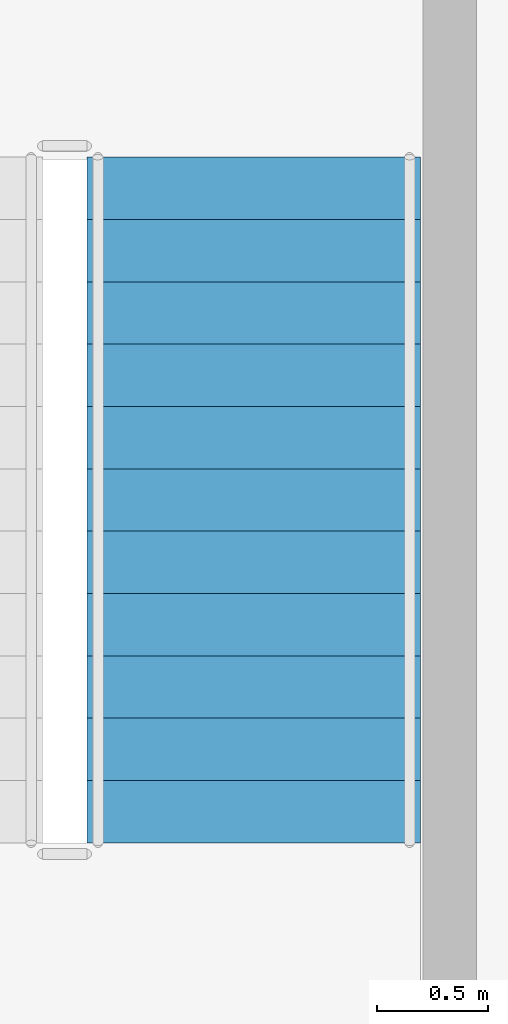
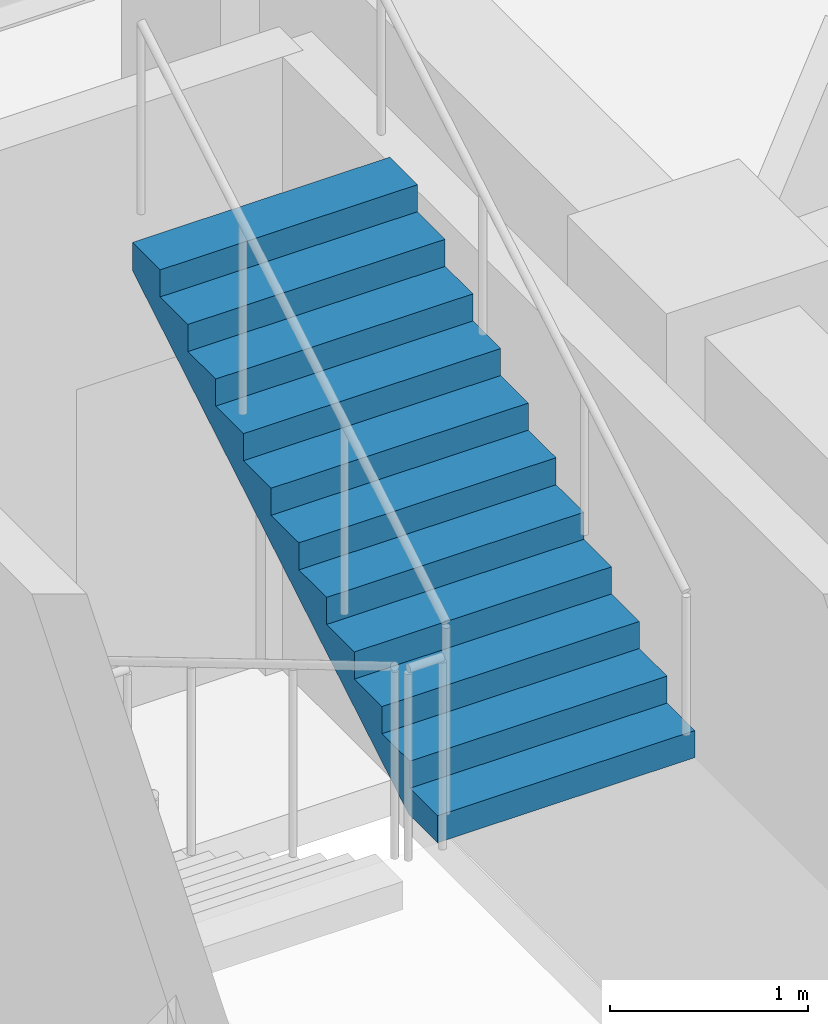
# One storey, part 8 of 12: 1 stair flight, 1 element without a shape of its own.
"""IFC4 building model written with IfcOpenShell, lengths in metres."""

import ifcopenshell
import ifcopenshell.guid

model = None  # the IFC model being written
_history = None  # IfcOwnerHistory: only IFC2X3 demands one
_inside = {}  # id of a spatial element -> (the spatial element, [elements in it])
_under = {}  # id of a project, library or spatial element -> (it, [spatial elements below it])
_declared = {}  # id of a project -> (the project, [libraries it declares])
_typed = {}  # id of a type object -> (the type object, [elements of that type])
_made_of = {}  # id of a material, layer set ... -> (it, [elements and type objects made of it])


def new_model(schema):
    """Start an empty IFC model of exactly this schema.

    Asked for "IFC4X3", IfcOpenShell would pick the latest addendum, in which some entities
    have other attributes; the version numbers below select the first issue.
    IFC2X3 requires an IfcOwnerHistory on every rooted entity: one is made here for all.
    """
    global model, _history
    if schema == "IFC4X3":
        model = ifcopenshell.file(schema_version=(4, 3, 0, 0))
    else:
        model = ifcopenshell.file(schema=schema)
    _inside.clear()
    _under.clear()
    _declared.clear()
    _typed.clear()
    _made_of.clear()
    _history = None
    if model.schema == "IFC2X3":
        org = make("IfcOrganization", Name="unknown")
        user = make(
            "IfcPersonAndOrganization",
            ThePerson=make("IfcPerson", FamilyName="unknown"),
            TheOrganization=org,
        )
        app = make(
            "IfcApplication",
            ApplicationDeveloper=org,
            Version="unknown",
            ApplicationFullName="unknown",
            ApplicationIdentifier="unknown",
        )
        _history = make(
            "IfcOwnerHistory",
            OwningUser=user,
            OwningApplication=app,
            ChangeAction="ADDED",
            CreationDate=0,
        )
    return model


def make(cls, **values):
    """One entity of the class cls with the attributes given. An attribute that is None is left unset."""
    return model.create_entity(
        cls, **{name: value for name, value in values.items() if value is not None}
    )


def rooted(cls, **values):
    """An entity with a GlobalId (a new one), such as an element, a storey or a relation."""
    return make(cls, GlobalId=ifcopenshell.guid.new(), OwnerHistory=_history, **values)


def si_unit(unit_type, name, prefix=None):
    """IfcSIUnit, for example si_unit("LENGTHUNIT", "METRE", prefix="MILLI")."""
    return make("IfcSIUnit", UnitType=unit_type, Prefix=prefix, Name=name)


def assignment(units):
    """IfcUnitAssignment: the units of a project."""
    return None if units is None else make("IfcUnitAssignment", Units=units)


def point(xyz):
    """IfcCartesianPoint."""
    return None if xyz is None else make("IfcCartesianPoint", Coordinates=xyz)


def direction(xyz):
    """IfcDirection."""
    return None if xyz is None else make("IfcDirection", DirectionRatios=xyz)


def frame(location, z_axis=None, x_axis=None):
    """IfcAxis2Placement3D, a coordinate frame: its origin and axes. An axis left out is left unset."""
    return make(
        "IfcAxis2Placement3D",
        Location=point(location),
        Axis=direction(z_axis),
        RefDirection=direction(x_axis),
    )


def origin():
    """The frame at (0, 0, 0) with its axes left unset."""
    return frame((0.0, 0.0, 0.0))


def place(relative_to, where):
    """IfcLocalPlacement: puts the frame where relative to a parent placement (None: the world)."""
    return make(
        "IfcLocalPlacement", PlacementRelTo=relative_to, RelativePlacement=where
    )


def context(
    kind, dimensions, precision=None, world=None, true_north=None, identifier=None
):
    """IfcGeometricRepresentationContext, for example the 3D "Model" context."""
    return make(
        "IfcGeometricRepresentationContext",
        ContextIdentifier=identifier,
        ContextType=kind,
        CoordinateSpaceDimension=dimensions,
        Precision=precision,
        WorldCoordinateSystem=world,
        TrueNorth=true_north,
    )


def subcontext(parent, identifier, kind, view, scale=None):
    """IfcGeometricRepresentationSubContext, for example "Body" below "Model"."""
    return make(
        "IfcGeometricRepresentationSubContext",
        ContextIdentifier=identifier,
        ContextType=kind,
        ParentContext=parent,
        TargetScale=scale,
        TargetView=view,
    )


def project(units=None, contexts=None):
    """IfcProject with its units and contexts."""
    return rooted(
        "IfcProject",
        Name="project",
        RepresentationContexts=contexts,
        UnitsInContext=assignment(units),
    )


def spatial(cls, under=None, at=None, **own):
    """A site, building, storey or space (cls), placed at a placement, below another one or the project."""
    s = rooted(cls, ObjectPlacement=at, **own)
    if under is not None:
        _under.setdefault(under.id(), (under, []))[1].append(s)
    return s


def polyline(points):
    """IfcPolyline through the points."""
    return make("IfcPolyline", Points=[point(p) for p in points])


def outline(outer, holes=None, kind="AREA"):
    """IfcArbitraryClosedProfileDef: a profile drawn as a closed curve; with holes, ...WithVoids."""
    if holes is None:
        return make("IfcArbitraryClosedProfileDef", ProfileType=kind, OuterCurve=outer)
    return make(
        "IfcArbitraryProfileDefWithVoids",
        ProfileType=kind,
        OuterCurve=outer,
        InnerCurves=holes,
    )


def extrude(swept, where, along, depth):
    """IfcExtrudedAreaSolid: the profile swept, set in the frame where, extruded along a direction by depth."""
    return make(
        "IfcExtrudedAreaSolid",
        SweptArea=swept,
        Position=where,
        ExtrudedDirection=direction(along),
        Depth=depth,
    )


def shape(context_of_items, identifier, shape_type, items):
    """IfcShapeRepresentation: the items that make up one representation, for example the "Body"."""
    return make(
        "IfcShapeRepresentation",
        ContextOfItems=context_of_items,
        RepresentationIdentifier=identifier,
        RepresentationType=shape_type,
        Items=items,
    )


def material(Name=None, Category=None):
    """IfcMaterial."""
    return make("IfcMaterial", Name=Name, Category=Category)


def made_of(thing, what):
    """Note that an element or type object is made of a material, layer set ...; save() writes the relation."""
    if what is not None:
        _made_of.setdefault(what.id(), (what, []))[1].append(thing)
    return thing


def type_object(cls, material=None, **own):
    """A type object (cls), such as IfcWallType, which elements share."""
    return made_of(rooted(cls, **own), material)


def element(
    cls,
    number,
    at=None,
    inside=None,
    cuts=None,
    type_object=None,
    material=None,
    context=None,
    identifier="Body",
    shape_type=None,
    held_by="IfcProductDefinitionShape",
    body=None,
    shapes=None,
    **own,
):
    """One element of the class cls, such as IfcWall. Its Tag is "e" and its number.

    at: its placement. inside: the storey or other place that contains it. cuts: it is an
    opening in that element (IfcRelVoidsElement). A single representation is given by context,
    identifier, shape_type and body (its items); several are given by shapes. held_by: the class
    of the entity that holds the representations. save() writes the other relations.
    """
    e = rooted(cls, Tag="e%d" % number, ObjectPlacement=at, **own)
    if body is not None:
        shapes = [shape(context, identifier, shape_type, body)]
    if shapes is not None:
        e.Representation = make(held_by, Representations=shapes)
    if inside is not None:
        _inside.setdefault(inside.id(), (inside, []))[1].append(e)
    if cuts is not None:
        rooted(
            "IfcRelVoidsElement", RelatingBuildingElement=cuts, RelatedOpeningElement=e
        )
    if type_object is not None:
        _typed.setdefault(type_object.id(), (type_object, []))[1].append(e)
    return made_of(e, material)


def aggregate(whole, parts):
    """IfcRelAggregates: a whole, such as a stair, and the parts it consists of."""
    return rooted("IfcRelAggregates", RelatingObject=whole, RelatedObjects=parts)


def save(model, path):
    """Write the relations noted so far, then the file.

    IfcRelAggregates (storeys below a building ...), IfcRelContainedInSpatialStructure (elements
    in a storey), IfcRelDefinesByType, IfcRelAssociatesMaterial and IfcRelDeclares: one each for
    every whole, place, type object, material and project.
    """
    for whole, parts in _under.values():
        aggregate(whole, parts)
    for where, things in _inside.values():
        rooted(
            "IfcRelContainedInSpatialStructure",
            RelatedElements=things,
            RelatingStructure=where,
        )
    for kind, things in _typed.values():
        rooted("IfcRelDefinesByType", RelatedObjects=things, RelatingType=kind)
    for what, things in _made_of.values():
        rooted("IfcRelAssociatesMaterial", RelatedObjects=things, RelatingMaterial=what)
    for by, libraries in _declared.values():
        rooted("IfcRelDeclares", RelatingContext=by, RelatedDefinitions=libraries)
    model.write(path)


model = new_model("IFC4")

# Units and contexts
model_context = context("Model", 3, precision=1e-05, world=origin(), true_north=direction((0.0, 1.0)))
body_context = subcontext(model_context, "Body", "Model", "MODEL_VIEW")
ifc_project = project(units=[si_unit("LENGTHUNIT", "METRE"), si_unit("AREAUNIT", "SQUARE_METRE"), si_unit("VOLUMEUNIT", "CUBIC_METRE"), si_unit("PLANEANGLEUNIT", "RADIAN"), si_unit("MASSUNIT", "GRAM", prefix="KILO")], contexts=[model_context])

# Site, building, storey
site_placement = place(None, origin())
site = spatial("IfcSite", under=ifc_project, at=site_placement, CompositionType="ELEMENT")
building_placement = place(site_placement, origin())
building = spatial("IfcBuilding", under=site, at=building_placement, Name="Gaonmaruhae Medical Tower", CompositionType="ELEMENT")
storey_placement = place(building_placement, frame((0.0, 0.0, 223.199951171875)))
storey = spatial("IfcBuildingStorey", under=building, at=storey_placement, Name="L53", CompositionType="ELEMENT", Elevation=223.199951171875)

# Stair, stair flight
ifc_material = material(Name="Concrete C40/50", Category="concrete")
stair_type = type_object("IfcStairType", Name="ST-T1 Primary Core Escape Dogleg Stair", PredefinedType="TWO_QUARTER_TURN_STAIR", material=ifc_material)
stair_placement = place(storey_placement, origin())
stair = element("IfcStair", 1, at=stair_placement, inside=storey, type_object=stair_type, Name="L53 Protected Escape Stair ST-02", PredefinedType="TWO_QUARTER_TURN_STAIR")
stair_flight_type = type_object("IfcStairFlightType", Name="SF-T1 Primary Core Precast Stair Flight", PredefinedType="STRAIGHT", material=ifc_material)
stair_flight_placement = place(storey_placement, frame((33.949951171875, 10.820068359375, 2.0), z_axis=(0.0, 0.0, 1.0), x_axis=(0.0, 1.0, 0.0)))
stair_flight = element("IfcStairFlight", 2, at=stair_flight_placement, type_object=stair_flight_type, Name="ST-02 flight 2", NumberOfRisers=12, NumberOfTreads=11, PredefinedType="STRAIGHT", RiserHeight=0.166666667, TreadLength=0.28, context=body_context, shape_type="SweptSolid", body=[
    extrude(outline(polyline([(0.0, 0.0), (0.0, 0.166748046875), (0.280029296875, 0.166748046875), (0.280029296875, 0.333251953125), (0.56005859375, 0.333251953125), (0.56005859375, 0.5), (0.840087890625, 0.5), (0.840087890625, 0.666748046875), (1.1201171875, 0.666748046875), (1.1201171875, 0.833251953125), (1.39990234375, 0.833251953125), (1.39990234375, 1.0), (1.679931640625, 1.0), (1.679931640625, 1.166748046875), (1.9599609375, 1.166748046875), (1.9599609375, 1.333251953125), (2.239990234375, 1.333251953125), (2.239990234375, 1.5), (2.52001953125, 1.5), (2.52001953125, 1.666748046875), (2.800048828125, 1.666748046875), (2.800048828125, 1.833251953125), (3.080078125, 1.833251953125), (3.080078125, 2.0), (3.080078125, 1.658935546875), (0.29296875, 0.0), (0.0, 0.0)])), frame((0.0, 0.75, 0.0), z_axis=(0.0, -1.0, 0.0), x_axis=(1.0, 0.0, 0.0)), (0.0, 0.0, 1.0), 1.5),
])
aggregate(stair, [stair_flight])

save(model, "model.ifc")
